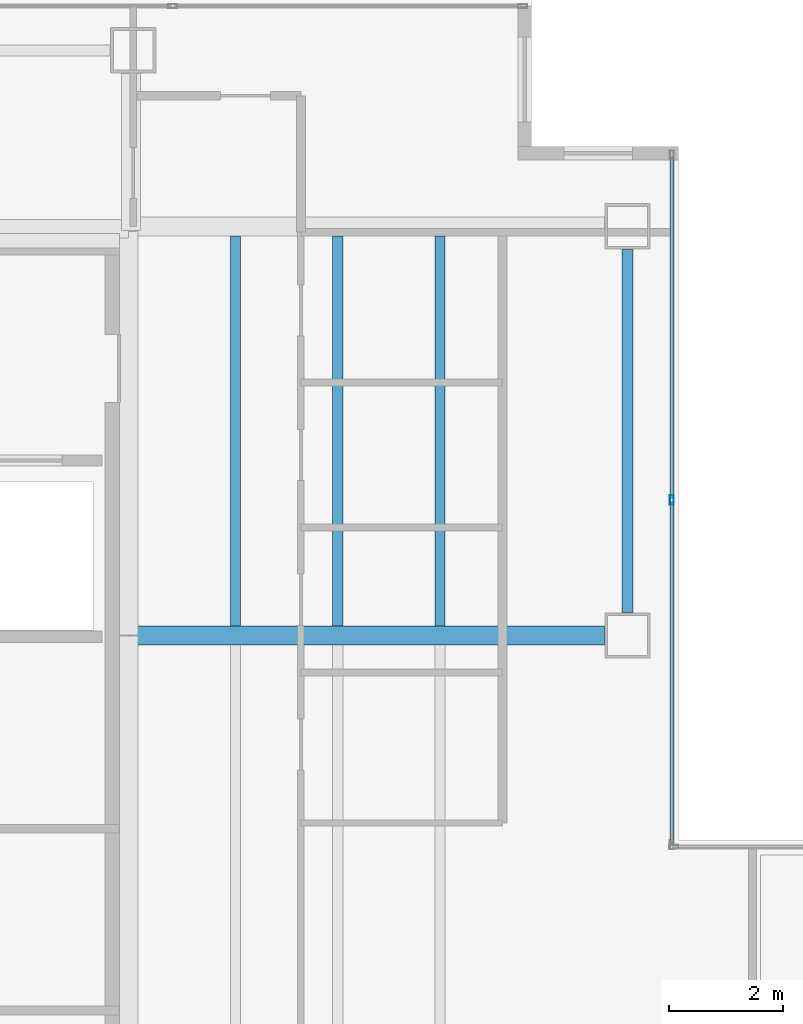
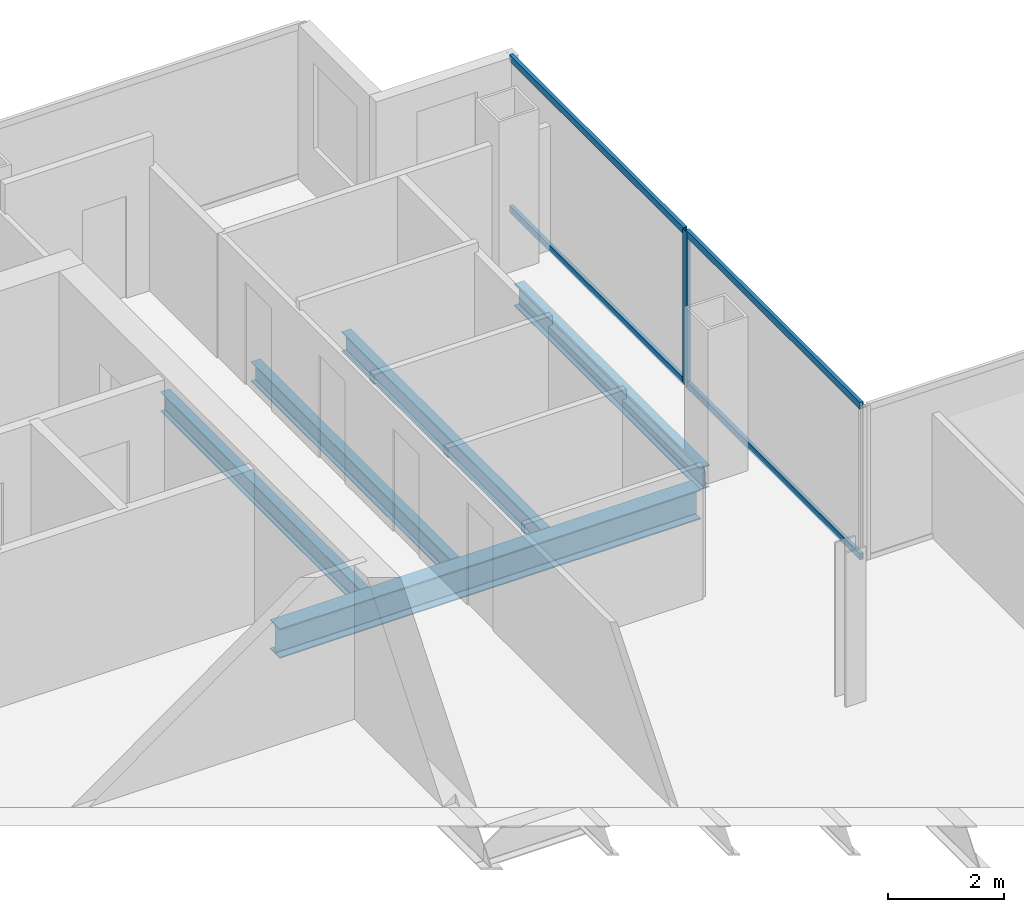
# One storey, part 9 of 23: 5 beams, 5 members, 1 element without a shape of its own.
"""IFC4 building model written with IfcOpenShell, lengths in metres."""

from ifc_helpers import new_model, si_unit, direction, frame, origin, origin_2d, place, context, subcontext, project, spatial, hollow_rectangle, i_section, extrude, material, material_profile, profile_set, type_object, element, aggregate, save


model = new_model("IFC4")

# Units and contexts
model_context = context("Model", 3, precision=1e-05, world=origin(), true_north=direction((0.0, 1.0)))
body_context = subcontext(model_context, "Body", "Model", "MODEL_VIEW")
ifc_project = project(units=[si_unit("LENGTHUNIT", "METRE"), si_unit("AREAUNIT", "SQUARE_METRE"), si_unit("VOLUMEUNIT", "CUBIC_METRE"), si_unit("PLANEANGLEUNIT", "RADIAN"), si_unit("MASSUNIT", "GRAM", prefix="KILO")], contexts=[model_context])

# Site, building, storey
site_placement = place(None, origin())
site = spatial("IfcSite", under=ifc_project, at=site_placement, CompositionType="ELEMENT")
building_placement = place(site_placement, origin())
building = spatial("IfcBuilding", under=site, at=building_placement, Name="Cobrela Telecom Tower", CompositionType="ELEMENT")
storey_placement = place(building_placement, frame((0.0, 0.0, 197.75)))
storey = spatial("IfcBuildingStorey", under=building, at=storey_placement, Name="L50", CompositionType="ELEMENT", Elevation=197.75)

# Beams
ifc_material_1 = material(Name="Steel ASTM A992 Grade 50", Category="steel")
ifc_material_profile_1 = material_profile(ifc_material_1, i_section(OverallWidth=0.327880859375, OverallDepth=0.6220703125, WebThickness=0.015380859375, FlangeThickness=0.0244140625, FilletRadius=0.014892578125, at=origin_2d()), Name="W24X131")
ifc_profile_set_1 = profile_set([ifc_material_profile_1], Name="Steel ASTM A992 Grade 50")
beam_type_1 = type_object("IfcBeamType", Name="BM-GIRD-06", PredefinedType="USERDEFINED", material=ifc_profile_set_1)
beam_1_placement = place(storey_placement, frame((14.324951171875, 28.800048828125, -0.571044921875), z_axis=(1.0, 0.0, 0.0), x_axis=(0.0, 1.0, 0.0)))
element("IfcBeam", 1, at=beam_1_placement, inside=storey, type_object=beam_type_1, Name="L50 Primary Girder X19", ObjectType="GIRDER", PredefinedType="USERDEFINED", context=body_context, shape_type="SweptSolid", body=[
    extrude(i_section(OverallWidth=0.327880859375, OverallDepth=0.6220703125, WebThickness=0.015380859375, FlangeThickness=0.0244140625, FilletRadius=0.014892578125, at=origin_2d()), origin(), (0.0, 0.0, 1.0), 8.3701171875),
])
ifc_material_profile_2 = material_profile(ifc_material_1, i_section(OverallWidth=0.179931640625, OverallDepth=0.4169921875, WebThickness=0.010986328125, FlangeThickness=0.01806640625, FilletRadius=0.011962890625, at=origin_2d()), Name="W16X57")
ifc_profile_set_2 = profile_set([ifc_material_profile_2], Name="Steel ASTM A992 Grade 50")
beam_type_2 = type_object("IfcBeamType", Name="BM-JOIST-04", PredefinedType="JOIST", material=ifc_profile_set_2)
for number, where, z_axis, x_axis, name in (
    (2, (16.199951171875, 28.968994140625, -0.468505859375), (0.0, 1.0, 0.0), (-1.0, 0.0, 0.0), "L50 Secondary Composite Floor Beam J04"),
    (3, (18.0, 28.968994140625, -0.468505859375), (0.0, 1.0, 0.0), (-1.0, 0.0, 0.0), "L50 Secondary Composite Floor Beam J08"),
    (4, (19.800048828125, 28.968994140625, -0.468505859375), (0.0, 1.0, 0.0), (-1.0, 0.0, 0.0), "L50 Secondary Composite Floor Beam J12"),
):
    element("IfcBeam", number, at=place(storey_placement, frame(where, z_axis=z_axis, x_axis=x_axis)), inside=storey, type_object=beam_type_2, Name=name, PredefinedType="JOIST", context=body_context, shape_type="SweptSolid", body=[
        extrude(i_section(OverallWidth=0.179931640625, OverallDepth=0.4169921875, WebThickness=0.010986328125, FlangeThickness=0.01806640625, FilletRadius=0.011962890625, at=origin_2d()), origin(), (0.0, 0.0, 1.0), 6.862060546875),
    ])
ifc_material_profile_3 = material_profile(ifc_material_1, i_section(OverallWidth=0.193115234375, OverallDepth=0.467041015625, WebThickness=0.011474609375, FlangeThickness=0.01904296875, FilletRadius=0.012939453125, at=origin_2d()), Name="W18X65")
ifc_profile_set_3 = profile_set([ifc_material_profile_3], Name="Steel ASTM A992 Grade 50")
beam_type_3 = type_object("IfcBeamType", Name="BM-SPAND-05", PredefinedType="SPANDREL", material=ifc_profile_set_3)
beam_2_placement = place(storey_placement, frame((23.10009765625, 29.205078125, -0.493408203125), z_axis=(0.0, 1.0, 0.0), x_axis=(-1.0, 0.0, 0.0)))
element("IfcBeam", 5, at=beam_2_placement, inside=storey, type_object=beam_type_3, Name="L50 Perimeter Spandrel Y35", PredefinedType="SPANDREL", context=body_context, shape_type="SweptSolid", body=[
    extrude(i_section(OverallWidth=0.193115234375, OverallDepth=0.467041015625, WebThickness=0.011474609375, FlangeThickness=0.01904296875, FilletRadius=0.012939453125, at=origin_2d()), origin(), (0.0, 0.0, 1.0), 6.389892578125),
])

# Curtain wall, members
ifc_material_2 = material(Name="Anodized Bronze Aluminium 6063-T6", Category="aluminium")
curtain_wall_type = type_object("IfcCurtainWallType", Name="CW-SYS-OFF-LO", PredefinedType="USERDEFINED", material=ifc_material_2)
curtain_wall_placement = place(storey_placement, origin())
curtain_wall = element("IfcCurtainWall", 6, at=curtain_wall_placement, inside=storey, type_object=curtain_wall_type, Name="L50 Unitised Bronze Curtain Wall 10", ObjectType="UNITISED CURTAIN WALL", PredefinedType="USERDEFINED")
ifc_material_profile_4 = material_profile(ifc_material_2, hollow_rectangle(XDim=0.070068359375, YDim=0.159912109375, WallThickness=0.00390625, at=origin_2d()), Name="ALU 70x160x4")
ifc_profile_set_4 = profile_set([ifc_material_profile_4], Name="Anodized Bronze Aluminium 6063-T6")
member_type_1 = type_object("IfcMemberType", Name="CW-SYS-OFF-LO-MUL", PredefinedType="MULLION", material=ifc_profile_set_4)
member_1_placement = place(storey_placement, frame((23.8798828125, 31.18505859375, 0.0), z_axis=(0.0, 0.0, 1.0), x_axis=(1.0, 0.0, 0.0)))
member_1 = element("IfcMember", 7, at=member_1_placement, type_object=member_type_1, Name="CW-OFF-LO mullion 2", PredefinedType="MULLION", context=body_context, shape_type="SweptSolid", body=[
    extrude(hollow_rectangle(XDim=0.070068359375, YDim=0.159912109375, WallThickness=0.00390625, at=origin_2d()), origin(), (0.0, 0.0, 1.0), 3.239990234375),
])
ifc_material_profile_5 = material_profile(ifc_material_2, hollow_rectangle(XDim=0.070068359375, YDim=0.139892578125, WallThickness=0.00390625, at=origin_2d()), Name="ALU 70x140x4")
ifc_profile_set_5 = profile_set([ifc_material_profile_5], Name="Anodized Bronze Aluminium 6063-T6")
member_type_2 = type_object("IfcMemberType", Name="CW-SYS-OFF-LO-TRN", PredefinedType="USERDEFINED", material=ifc_profile_set_5)
member_2_placement = place(storey_placement, frame((23.8798828125, 37.219970703125, 0.034912109375), z_axis=(0.0, -1.0, 0.0), x_axis=(1.0, 0.0, 0.0)))
member_2 = element("IfcMember", 8, at=member_2_placement, type_object=member_type_2, Name="CW-OFF-LO transom 1.1", ObjectType="TRANSOM", PredefinedType="USERDEFINED", context=body_context, shape_type="SweptSolid", body=[
    extrude(hollow_rectangle(XDim=0.070068359375, YDim=0.139892578125, WallThickness=0.00390625, at=origin_2d()), origin(), (0.0, 0.0, 1.0), 6.0),
])
member_3_placement = place(storey_placement, frame((23.8798828125, 37.219970703125, 3.205078125), z_axis=(0.0, -1.0, 0.0), x_axis=(1.0, 0.0, 0.0)))
member_3 = element("IfcMember", 9, at=member_3_placement, type_object=member_type_2, Name="CW-OFF-LO transom 1.2", ObjectType="TRANSOM", PredefinedType="USERDEFINED", context=body_context, shape_type="SweptSolid", body=[
    extrude(hollow_rectangle(XDim=0.070068359375, YDim=0.139892578125, WallThickness=0.00390625, at=origin_2d()), origin(), (0.0, 0.0, 1.0), 6.0),
])
member_4_placement = place(storey_placement, frame((23.8798828125, 31.14990234375, 0.034912109375), z_axis=(0.0, -1.0, 0.0), x_axis=(1.0, 0.0, 0.0)))
member_4 = element("IfcMember", 10, at=member_4_placement, type_object=member_type_2, Name="CW-OFF-LO transom 2.1", ObjectType="TRANSOM", PredefinedType="USERDEFINED", context=body_context, shape_type="SweptSolid", body=[
    extrude(hollow_rectangle(XDim=0.070068359375, YDim=0.139892578125, WallThickness=0.00390625, at=origin_2d()), origin(), (0.0, 0.0, 1.0), 6.0),
])
member_5_placement = place(storey_placement, frame((23.8798828125, 31.14990234375, 3.205078125), z_axis=(0.0, -1.0, 0.0), x_axis=(1.0, 0.0, 0.0)))
member_5 = element("IfcMember", 11, at=member_5_placement, type_object=member_type_2, Name="CW-OFF-LO transom 2.2", ObjectType="TRANSOM", PredefinedType="USERDEFINED", context=body_context, shape_type="SweptSolid", body=[
    extrude(hollow_rectangle(XDim=0.070068359375, YDim=0.139892578125, WallThickness=0.00390625, at=origin_2d()), origin(), (0.0, 0.0, 1.0), 6.0),
])
aggregate(curtain_wall, [member_1, member_2, member_3, member_4, member_5])

save(model, "model.ifc")
